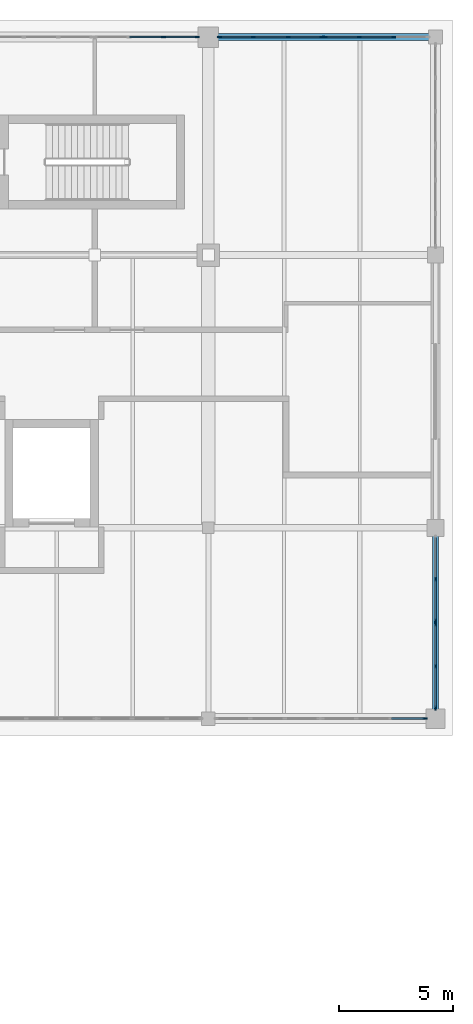
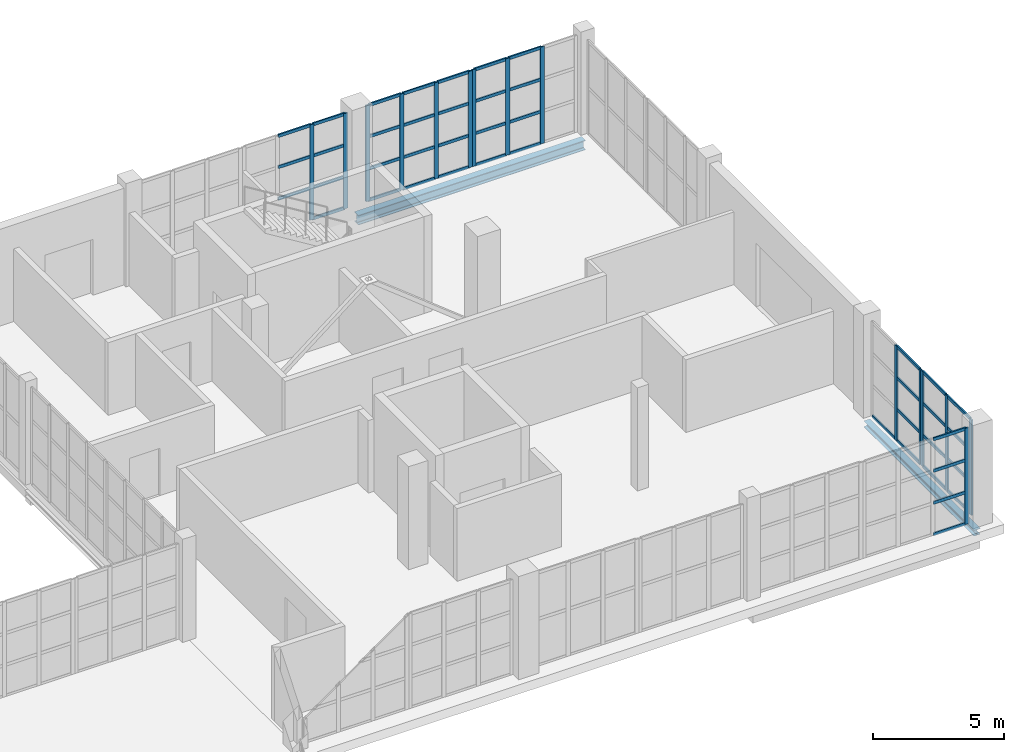
# One storey, part 70 of 121: 59 members, 2 beams, 6 elements without a shape of their own.
"""IFC4 building model written with IfcOpenShell, lengths in metres."""

from ifc_helpers import new_model, si_unit, direction, frame, origin, origin_2d, place, context, subcontext, project, spatial, rectangle, i_section, extrude, material, layer, layer_set, material_profile, profile_set, type_object, element, aggregate, save


model = new_model("IFC4")

# Units and contexts
model_context = context("Model", 3, precision=1e-05, world=origin(), true_north=direction((0.0, 1.0)))
body_context = subcontext(model_context, "Body", "Model", "MODEL_VIEW")
ifc_project = project(units=[si_unit("LENGTHUNIT", "METRE"), si_unit("AREAUNIT", "SQUARE_METRE"), si_unit("VOLUMEUNIT", "CUBIC_METRE"), si_unit("PLANEANGLEUNIT", "RADIAN"), si_unit("MASSUNIT", "GRAM", prefix="KILO")], contexts=[model_context])

# Site, building, storey
site_placement = place(None, origin())
site = spatial("IfcSite", under=ifc_project, at=site_placement, CompositionType="ELEMENT")
building_placement = place(site_placement, origin())
building = spatial("IfcBuilding", under=site, at=building_placement, Name="Zereglee Splitstone Museum", CompositionType="ELEMENT")
storey_placement = place(building_placement, origin())
storey = spatial("IfcBuildingStorey", under=building, at=storey_placement, Name="L00", CompositionType="ELEMENT", Elevation=0.0)

# Curtain wall, member
ifc_material_1 = material(Name="Triple-glazed low-E argon glass and bronze-anodised aluminium", Category="aluminium")
ifc_layer_1 = layer(ifc_material_1, 0.179931640625)
ifc_layer_set_1 = layer_set([ifc_layer_1], Name="Triple-glazed low-E argon glass and bronze-anodised aluminium")
curtain_wall_type_1 = type_object("IfcCurtainWallType", Name="CW-0459-448", PredefinedType="USERDEFINED", material=ifc_layer_set_1)
curtain_wall_1_placement = place(storey_placement, origin())
curtain_wall_1 = element("IfcCurtainWall", 1, at=curtain_wall_1_placement, inside=storey, type_object=curtain_wall_type_1, Name="Glazed Curtain Wall CW-0459-448 (L00)", ObjectType="GLAZED CURTAIN WALL", PredefinedType="USERDEFINED")
ifc_material_2 = material(Name="Thermally broken bronze-anodised aluminium", Category="aluminium")
ifc_material_profile_1 = material_profile(ifc_material_2, rectangle(XDim=0.06494140625, YDim=0.179931640625, at=origin_2d()), Name="CW MULL 65x180")
ifc_profile_set_1 = profile_set([ifc_material_profile_1], Name="Thermally broken bronze-anodised aluminium")
member_type_1 = type_object("IfcMemberType", Name="CWM-01", PredefinedType="MULLION", material=ifc_profile_set_1)
member_1_placement = place(storey_placement, frame((325.534423828125, 30.0, 0.0), z_axis=(0.0, 0.0, 1.0), x_axis=(0.0, 1.0, 0.0)))
member_1 = element("IfcMember", 2, at=member_1_placement, type_object=member_type_1, Name="CW-0459-448 mullion 4", PredefinedType="MULLION", context=body_context, shape_type="SweptSolid", body=[
    extrude(rectangle(XDim=0.06494140625, YDim=0.179931640625, at=origin_2d()), origin(), (0.0, 0.0, 1.0), 4.47998046875),
])

# Curtain wall, members
ifc_layer_2 = layer(ifc_material_1, 0.179931640625)
ifc_layer_set_2 = layer_set([ifc_layer_2], Name="Triple-glazed low-E argon glass and bronze-anodised aluminium")
curtain_wall_type_2 = type_object("IfcCurtainWallType", Name="CW-0375-444", PredefinedType="USERDEFINED", material=ifc_layer_set_2)
curtain_wall_2_placement = place(storey_placement, origin())
curtain_wall_2 = element("IfcCurtainWall", 3, at=curtain_wall_2_placement, inside=storey, type_object=curtain_wall_type_2, Name="Glazed Curtain Wall CW-0375-444 (L00)", ObjectType="GLAZED CURTAIN WALL", PredefinedType="USERDEFINED")
member_2_placement = place(storey_placement, frame((326.0, 30.465576171875, 0.0), z_axis=(0.0, 0.0, 1.0), x_axis=(-1.0, 0.0, 0.0)))
member_2 = element("IfcMember", 4, at=member_2_placement, type_object=member_type_1, Name="CW-0375-444 mullion 1", PredefinedType="MULLION", context=body_context, shape_type="SweptSolid", body=[
    extrude(rectangle(XDim=0.06494140625, YDim=0.179931640625, at=origin_2d()), origin(), (0.0, 0.0, 1.0), 4.43994140625),
])
member_3_placement = place(storey_placement, frame((326.0, 32.30908203125, 0.0), z_axis=(0.0, 0.0, 1.0), x_axis=(-1.0, 0.0, 0.0)))
member_3 = element("IfcMember", 5, at=member_3_placement, type_object=member_type_1, Name="CW-0375-444 mullion 2", PredefinedType="MULLION", context=body_context, shape_type="SweptSolid", body=[
    extrude(rectangle(XDim=0.06494140625, YDim=0.179931640625, at=origin_2d()), origin(), (0.0, 0.0, 1.0), 4.43994140625),
])
member_4_placement = place(storey_placement, frame((326.0, 34.152587890625, 0.0), z_axis=(0.0, 0.0, 1.0), x_axis=(-1.0, 0.0, 0.0)))
member_4 = element("IfcMember", 6, at=member_4_placement, type_object=member_type_1, Name="CW-0375-444 mullion 3", PredefinedType="MULLION", context=body_context, shape_type="SweptSolid", body=[
    extrude(rectangle(XDim=0.06494140625, YDim=0.179931640625, at=origin_2d()), origin(), (0.0, 0.0, 1.0), 4.43994140625),
])

ifc_layer_3 = layer(ifc_material_1, 0.179931640625)
ifc_layer_set_3 = layer_set([ifc_layer_3], Name="Triple-glazed low-E argon glass and bronze-anodised aluminium")
curtain_wall_type_3 = type_object("IfcCurtainWallType", Name="CW-0375-442", PredefinedType="USERDEFINED", material=ifc_layer_set_3)
curtain_wall_3_placement = place(storey_placement, origin())
curtain_wall_3 = element("IfcCurtainWall", 7, at=curtain_wall_3_placement, inside=storey, type_object=curtain_wall_type_3, Name="Glazed Curtain Wall CW-0375-442 (L00)", ObjectType="GLAZED CURTAIN WALL", PredefinedType="USERDEFINED")
member_5_placement = place(storey_placement, frame((326.0, 34.297607421875, 0.0), z_axis=(0.0, 0.0, 1.0), x_axis=(-1.0, 0.0, 0.0)))
member_5 = element("IfcMember", 8, at=member_5_placement, type_object=member_type_1, Name="CW-0375-442 mullion 1", PredefinedType="MULLION", context=body_context, shape_type="SweptSolid", body=[
    extrude(rectangle(XDim=0.06494140625, YDim=0.179931640625, at=origin_2d()), origin(), (0.0, 0.0, 1.0), 4.419921875),
])
member_6_placement = place(storey_placement, frame((326.0, 36.14111328125, 0.0), z_axis=(0.0, 0.0, 1.0), x_axis=(-1.0, 0.0, 0.0)))
member_6 = element("IfcMember", 9, at=member_6_placement, type_object=member_type_1, Name="CW-0375-442 mullion 2", PredefinedType="MULLION", context=body_context, shape_type="SweptSolid", body=[
    extrude(rectangle(XDim=0.06494140625, YDim=0.179931640625, at=origin_2d()), origin(), (0.0, 0.0, 1.0), 4.419921875),
])

ifc_layer_4 = layer(ifc_material_1, 0.179931640625)
ifc_layer_set_4 = layer_set([ifc_layer_4], Name="Triple-glazed low-E argon glass and bronze-anodised aluminium")
curtain_wall_type_4 = type_object("IfcCurtainWallType", Name="CW-0458-450", PredefinedType="USERDEFINED", material=ifc_layer_set_4)
curtain_wall_4_placement = place(storey_placement, origin())
curtain_wall_4 = element("IfcCurtainWall", 10, at=curtain_wall_4_placement, inside=storey, type_object=curtain_wall_type_4, Name="Glazed Curtain Wall CW-0458-450 (L00)", ObjectType="GLAZED CURTAIN WALL", PredefinedType="USERDEFINED")
member_7_placement = place(storey_placement, frame((324.166259765625, 60.0, 0.0), z_axis=(0.0, 0.0, 1.0), x_axis=(0.0, -1.0, 0.0)))
member_7 = element("IfcMember", 11, at=member_7_placement, type_object=member_type_1, Name="CW-0458-450 mullion 2", PredefinedType="MULLION", context=body_context, shape_type="SweptSolid", body=[
    extrude(rectangle(XDim=0.06494140625, YDim=0.179931640625, at=origin_2d()), origin(), (0.0, 0.0, 1.0), 4.5),
])
member_8_placement = place(storey_placement, frame((322.640625, 60.0, 0.0), z_axis=(0.0, 0.0, 1.0), x_axis=(0.0, -1.0, 0.0)))
member_8 = element("IfcMember", 12, at=member_8_placement, type_object=member_type_1, Name="CW-0458-450 mullion 3", PredefinedType="MULLION", context=body_context, shape_type="SweptSolid", body=[
    extrude(rectangle(XDim=0.06494140625, YDim=0.179931640625, at=origin_2d()), origin(), (0.0, 0.0, 1.0), 4.5),
])
member_9_placement = place(storey_placement, frame((321.1474609375, 60.0, 0.0), z_axis=(0.0, 0.0, 1.0), x_axis=(0.0, -1.0, 0.0)))
member_9 = element("IfcMember", 13, at=member_9_placement, type_object=member_type_1, Name="CW-0458-450 mullion 4", PredefinedType="MULLION", context=body_context, shape_type="SweptSolid", body=[
    extrude(rectangle(XDim=0.06494140625, YDim=0.179931640625, at=origin_2d()), origin(), (0.0, 0.0, 1.0), 4.5),
])

ifc_layer_5 = layer(ifc_material_1, 0.179931640625)
ifc_layer_set_5 = layer_set([ifc_layer_5], Name="Triple-glazed low-E argon glass and bronze-anodised aluminium")
curtain_wall_type_5 = type_object("IfcCurtainWallType", Name="CW-0458-448", PredefinedType="USERDEFINED", material=ifc_layer_set_5)
curtain_wall_5_placement = place(storey_placement, origin())
curtain_wall_5 = element("IfcCurtainWall", 14, at=curtain_wall_5_placement, inside=storey, type_object=curtain_wall_type_5, Name="Glazed Curtain Wall CW-0458-448 (L00)", ObjectType="GLAZED CURTAIN WALL", PredefinedType="USERDEFINED")
member_10_placement = place(storey_placement, frame((321.00244140625, 60.0, 0.0), z_axis=(0.0, 0.0, 1.0), x_axis=(0.0, -1.0, 0.0)))
member_10 = element("IfcMember", 15, at=member_10_placement, type_object=member_type_1, Name="CW-0458-448 mullion 1", PredefinedType="MULLION", context=body_context, shape_type="SweptSolid", body=[
    extrude(rectangle(XDim=0.06494140625, YDim=0.179931640625, at=origin_2d()), origin(), (0.0, 0.0, 1.0), 4.47998046875),
])
member_11_placement = place(storey_placement, frame((319.50927734375, 60.0, 0.0), z_axis=(0.0, 0.0, 1.0), x_axis=(0.0, -1.0, 0.0)))
member_11 = element("IfcMember", 16, at=member_11_placement, type_object=member_type_1, Name="CW-0458-448 mullion 2", PredefinedType="MULLION", context=body_context, shape_type="SweptSolid", body=[
    extrude(rectangle(XDim=0.06494140625, YDim=0.179931640625, at=origin_2d()), origin(), (0.0, 0.0, 1.0), 4.47998046875),
])
member_12_placement = place(storey_placement, frame((317.983642578125, 60.0, 0.0), z_axis=(0.0, 0.0, 1.0), x_axis=(0.0, -1.0, 0.0)))
member_12 = element("IfcMember", 17, at=member_12_placement, type_object=member_type_1, Name="CW-0458-448 mullion 3", PredefinedType="MULLION", context=body_context, shape_type="SweptSolid", body=[
    extrude(rectangle(XDim=0.06494140625, YDim=0.179931640625, at=origin_2d()), origin(), (0.0, 0.0, 1.0), 4.47998046875),
])
member_13_placement = place(storey_placement, frame((316.490478515625, 60.0, 0.0), z_axis=(0.0, 0.0, 1.0), x_axis=(0.0, -1.0, 0.0)))
member_13 = element("IfcMember", 18, at=member_13_placement, type_object=member_type_1, Name="CW-0458-448 mullion 4", PredefinedType="MULLION", context=body_context, shape_type="SweptSolid", body=[
    extrude(rectangle(XDim=0.06494140625, YDim=0.179931640625, at=origin_2d()), origin(), (0.0, 0.0, 1.0), 4.47998046875),
])

ifc_layer_6 = layer(ifc_material_1, 0.179931640625)
ifc_layer_set_6 = layer_set([ifc_layer_6], Name="Triple-glazed low-E argon glass and bronze-anodised aluminium")
curtain_wall_type_6 = type_object("IfcCurtainWallType", Name="CW-0455-444", PredefinedType="USERDEFINED", material=ifc_layer_set_6)
curtain_wall_6_placement = place(storey_placement, origin())
curtain_wall_6 = element("IfcCurtainWall", 19, at=curtain_wall_6_placement, inside=storey, type_object=curtain_wall_type_6, Name="Glazed Curtain Wall CW-0455-444 (L00)", ObjectType="GLAZED CURTAIN WALL", PredefinedType="USERDEFINED")
member_14_placement = place(storey_placement, frame((315.509521484375, 60.0, 0.0), z_axis=(0.0, 0.0, 1.0), x_axis=(0.0, -1.0, 0.0)))
member_14 = element("IfcMember", 20, at=member_14_placement, type_object=member_type_1, Name="CW-0455-444 mullion 1", PredefinedType="MULLION", context=body_context, shape_type="SweptSolid", body=[
    extrude(rectangle(XDim=0.06494140625, YDim=0.179931640625, at=origin_2d()), origin(), (0.0, 0.0, 1.0), 4.43994140625),
])
member_15_placement = place(storey_placement, frame((314.024658203125, 60.0, 0.0), z_axis=(0.0, 0.0, 1.0), x_axis=(0.0, -1.0, 0.0)))
member_15 = element("IfcMember", 21, at=member_15_placement, type_object=member_type_1, Name="CW-0455-444 mullion 2", PredefinedType="MULLION", context=body_context, shape_type="SweptSolid", body=[
    extrude(rectangle(XDim=0.06494140625, YDim=0.179931640625, at=origin_2d()), origin(), (0.0, 0.0, 1.0), 4.43994140625),
])

# Member
ifc_material_profile_2 = material_profile(ifc_material_2, rectangle(XDim=0.06494140625, YDim=0.139892578125, at=origin_2d()), Name="CW TRAN 65x140")
ifc_profile_set_2 = profile_set([ifc_material_profile_2], Name="Thermally broken bronze-anodised aluminium")
member_type_2 = type_object("IfcMemberType", Name="CWT-01", PredefinedType="USERDEFINED", material=ifc_profile_set_2)
member_16_placement = place(storey_placement, frame((324.069580078125, 30.0, 0.032470703125), z_axis=(1.0, 0.0, 0.0), x_axis=(0.0, 1.0, 0.0)))
member_16 = element("IfcMember", 22, at=member_16_placement, type_object=member_type_2, Name="CW-0459-448 transom 3.1", ObjectType="TRANSOM", PredefinedType="USERDEFINED", context=body_context, shape_type="SweptSolid", body=[
    extrude(rectangle(XDim=0.06494140625, YDim=0.139892578125, at=origin_2d()), origin(), (0.0, 0.0, 1.0), 1.432373046875),
])

member_17_placement = place(storey_placement, frame((324.069580078125, 30.0, 1.493408203125), z_axis=(1.0, 0.0, 0.0), x_axis=(0.0, 1.0, 0.0)))
member_17 = element("IfcMember", 23, at=member_17_placement, type_object=member_type_2, Name="CW-0459-448 transom 3.2", ObjectType="TRANSOM", PredefinedType="USERDEFINED", context=body_context, shape_type="SweptSolid", body=[
    extrude(rectangle(XDim=0.06494140625, YDim=0.139892578125, at=origin_2d()), origin(), (0.0, 0.0, 1.0), 1.432373046875),
])

member_18_placement = place(storey_placement, frame((324.069580078125, 30.0, 2.98681640625), z_axis=(1.0, 0.0, 0.0), x_axis=(0.0, 1.0, 0.0)))
member_18 = element("IfcMember", 24, at=member_18_placement, type_object=member_type_2, Name="CW-0459-448 transom 3.3", ObjectType="TRANSOM", PredefinedType="USERDEFINED", context=body_context, shape_type="SweptSolid", body=[
    extrude(rectangle(XDim=0.06494140625, YDim=0.139892578125, at=origin_2d()), origin(), (0.0, 0.0, 1.0), 1.432373046875),
])

member_19_placement = place(storey_placement, frame((324.069580078125, 30.0, 4.447509765625), z_axis=(1.0, 0.0, 0.0), x_axis=(0.0, 1.0, 0.0)))
member_19 = element("IfcMember", 25, at=member_19_placement, type_object=member_type_2, Name="CW-0459-448 transom 3.4", ObjectType="TRANSOM", PredefinedType="USERDEFINED", context=body_context, shape_type="SweptSolid", body=[
    extrude(rectangle(XDim=0.06494140625, YDim=0.139892578125, at=origin_2d()), origin(), (0.0, 0.0, 1.0), 1.432373046875),
])

aggregate(curtain_wall_1, [member_1, member_16, member_17, member_18, member_19])

member_20_placement = place(storey_placement, frame((326.0, 30.498046875, 0.032470703125), z_axis=(0.0, 1.0, 0.0), x_axis=(-1.0, 0.0, 0.0)))
member_20 = element("IfcMember", 26, at=member_20_placement, type_object=member_type_2, Name="CW-0375-444 transom 1.1", ObjectType="TRANSOM", PredefinedType="USERDEFINED", context=body_context, shape_type="SweptSolid", body=[
    extrude(rectangle(XDim=0.06494140625, YDim=0.139892578125, at=origin_2d()), origin(), (0.0, 0.0, 1.0), 1.778564453125),
])

member_21_placement = place(storey_placement, frame((326.0, 30.498046875, 1.47998046875), z_axis=(0.0, 1.0, 0.0), x_axis=(-1.0, 0.0, 0.0)))
member_21 = element("IfcMember", 27, at=member_21_placement, type_object=member_type_2, Name="CW-0375-444 transom 1.2", ObjectType="TRANSOM", PredefinedType="USERDEFINED", context=body_context, shape_type="SweptSolid", body=[
    extrude(rectangle(XDim=0.06494140625, YDim=0.139892578125, at=origin_2d()), origin(), (0.0, 0.0, 1.0), 1.778564453125),
])

member_22_placement = place(storey_placement, frame((326.0, 30.498046875, 2.9599609375), z_axis=(0.0, 1.0, 0.0), x_axis=(-1.0, 0.0, 0.0)))
member_22 = element("IfcMember", 28, at=member_22_placement, type_object=member_type_2, Name="CW-0375-444 transom 1.3", ObjectType="TRANSOM", PredefinedType="USERDEFINED", context=body_context, shape_type="SweptSolid", body=[
    extrude(rectangle(XDim=0.06494140625, YDim=0.139892578125, at=origin_2d()), origin(), (0.0, 0.0, 1.0), 1.778564453125),
])

member_23_placement = place(storey_placement, frame((326.0, 30.498046875, 4.407470703125), z_axis=(0.0, 1.0, 0.0), x_axis=(-1.0, 0.0, 0.0)))
member_23 = element("IfcMember", 29, at=member_23_placement, type_object=member_type_2, Name="CW-0375-444 transom 1.4", ObjectType="TRANSOM", PredefinedType="USERDEFINED", context=body_context, shape_type="SweptSolid", body=[
    extrude(rectangle(XDim=0.06494140625, YDim=0.139892578125, at=origin_2d()), origin(), (0.0, 0.0, 1.0), 1.778564453125),
])

member_24_placement = place(storey_placement, frame((326.0, 32.341552734375, 0.032470703125), z_axis=(0.0, 1.0, 0.0), x_axis=(-1.0, 0.0, 0.0)))
member_24 = element("IfcMember", 30, at=member_24_placement, type_object=member_type_2, Name="CW-0375-444 transom 2.1", ObjectType="TRANSOM", PredefinedType="USERDEFINED", context=body_context, shape_type="SweptSolid", body=[
    extrude(rectangle(XDim=0.06494140625, YDim=0.139892578125, at=origin_2d()), origin(), (0.0, 0.0, 1.0), 1.778564453125),
])

member_25_placement = place(storey_placement, frame((326.0, 32.341552734375, 1.47998046875), z_axis=(0.0, 1.0, 0.0), x_axis=(-1.0, 0.0, 0.0)))
member_25 = element("IfcMember", 31, at=member_25_placement, type_object=member_type_2, Name="CW-0375-444 transom 2.2", ObjectType="TRANSOM", PredefinedType="USERDEFINED", context=body_context, shape_type="SweptSolid", body=[
    extrude(rectangle(XDim=0.06494140625, YDim=0.139892578125, at=origin_2d()), origin(), (0.0, 0.0, 1.0), 1.778564453125),
])

member_26_placement = place(storey_placement, frame((326.0, 32.341552734375, 2.9599609375), z_axis=(0.0, 1.0, 0.0), x_axis=(-1.0, 0.0, 0.0)))
member_26 = element("IfcMember", 32, at=member_26_placement, type_object=member_type_2, Name="CW-0375-444 transom 2.3", ObjectType="TRANSOM", PredefinedType="USERDEFINED", context=body_context, shape_type="SweptSolid", body=[
    extrude(rectangle(XDim=0.06494140625, YDim=0.139892578125, at=origin_2d()), origin(), (0.0, 0.0, 1.0), 1.778564453125),
])

member_27_placement = place(storey_placement, frame((326.0, 32.341552734375, 4.407470703125), z_axis=(0.0, 1.0, 0.0), x_axis=(-1.0, 0.0, 0.0)))
member_27 = element("IfcMember", 33, at=member_27_placement, type_object=member_type_2, Name="CW-0375-444 transom 2.4", ObjectType="TRANSOM", PredefinedType="USERDEFINED", context=body_context, shape_type="SweptSolid", body=[
    extrude(rectangle(XDim=0.06494140625, YDim=0.139892578125, at=origin_2d()), origin(), (0.0, 0.0, 1.0), 1.778564453125),
])

aggregate(curtain_wall_2, [member_2, member_3, member_4, member_20, member_21, member_22, member_23, member_24, member_25, member_26, member_27])

member_28_placement = place(storey_placement, frame((326.0, 34.330078125, 0.032470703125), z_axis=(0.0, 1.0, 0.0), x_axis=(-1.0, 0.0, 0.0)))
member_28 = element("IfcMember", 34, at=member_28_placement, type_object=member_type_2, Name="CW-0375-442 transom 1.1", ObjectType="TRANSOM", PredefinedType="USERDEFINED", context=body_context, shape_type="SweptSolid", body=[
    extrude(rectangle(XDim=0.06494140625, YDim=0.139892578125, at=origin_2d()), origin(), (0.0, 0.0, 1.0), 1.7783203125),
])

member_29_placement = place(storey_placement, frame((326.0, 34.330078125, 1.473388671875), z_axis=(0.0, 1.0, 0.0), x_axis=(-1.0, 0.0, 0.0)))
member_29 = element("IfcMember", 35, at=member_29_placement, type_object=member_type_2, Name="CW-0375-442 transom 1.2", ObjectType="TRANSOM", PredefinedType="USERDEFINED", context=body_context, shape_type="SweptSolid", body=[
    extrude(rectangle(XDim=0.06494140625, YDim=0.139892578125, at=origin_2d()), origin(), (0.0, 0.0, 1.0), 1.7783203125),
])

member_30_placement = place(storey_placement, frame((326.0, 34.330078125, 2.94677734375), z_axis=(0.0, 1.0, 0.0), x_axis=(-1.0, 0.0, 0.0)))
member_30 = element("IfcMember", 36, at=member_30_placement, type_object=member_type_2, Name="CW-0375-442 transom 1.3", ObjectType="TRANSOM", PredefinedType="USERDEFINED", context=body_context, shape_type="SweptSolid", body=[
    extrude(rectangle(XDim=0.06494140625, YDim=0.139892578125, at=origin_2d()), origin(), (0.0, 0.0, 1.0), 1.7783203125),
])

member_31_placement = place(storey_placement, frame((326.0, 34.330078125, 4.387451171875), z_axis=(0.0, 1.0, 0.0), x_axis=(-1.0, 0.0, 0.0)))
member_31 = element("IfcMember", 37, at=member_31_placement, type_object=member_type_2, Name="CW-0375-442 transom 1.4", ObjectType="TRANSOM", PredefinedType="USERDEFINED", context=body_context, shape_type="SweptSolid", body=[
    extrude(rectangle(XDim=0.06494140625, YDim=0.139892578125, at=origin_2d()), origin(), (0.0, 0.0, 1.0), 1.7783203125),
])

member_32_placement = place(storey_placement, frame((326.0, 36.173583984375, 0.032470703125), z_axis=(0.0, 1.0, 0.0), x_axis=(-1.0, 0.0, 0.0)))
member_32 = element("IfcMember", 38, at=member_32_placement, type_object=member_type_2, Name="CW-0375-442 transom 2.1", ObjectType="TRANSOM", PredefinedType="USERDEFINED", context=body_context, shape_type="SweptSolid", body=[
    extrude(rectangle(XDim=0.06494140625, YDim=0.139892578125, at=origin_2d()), origin(), (0.0, 0.0, 1.0), 1.7783203125),
])

aggregate(curtain_wall_3, [member_5, member_6, member_28, member_29, member_30, member_31, member_32])

member_33_placement = place(storey_placement, frame((324.1337890625, 60.0, 0.032470703125), z_axis=(-1.0, 0.0, 0.0), x_axis=(0.0, -1.0, 0.0)))
member_33 = element("IfcMember", 39, at=member_33_placement, type_object=member_type_2, Name="CW-0458-450 transom 2.1", ObjectType="TRANSOM", PredefinedType="USERDEFINED", context=body_context, shape_type="SweptSolid", body=[
    extrude(rectangle(XDim=0.06494140625, YDim=0.139892578125, at=origin_2d()), origin(), (0.0, 0.0, 1.0), 1.460693359375),
])

member_34_placement = place(storey_placement, frame((324.1337890625, 60.0, 1.5), z_axis=(-1.0, 0.0, 0.0), x_axis=(0.0, -1.0, 0.0)))
member_34 = element("IfcMember", 40, at=member_34_placement, type_object=member_type_2, Name="CW-0458-450 transom 2.2", ObjectType="TRANSOM", PredefinedType="USERDEFINED", context=body_context, shape_type="SweptSolid", body=[
    extrude(rectangle(XDim=0.06494140625, YDim=0.139892578125, at=origin_2d()), origin(), (0.0, 0.0, 1.0), 1.460693359375),
])

member_35_placement = place(storey_placement, frame((324.1337890625, 60.0, 3.0), z_axis=(-1.0, 0.0, 0.0), x_axis=(0.0, -1.0, 0.0)))
member_35 = element("IfcMember", 41, at=member_35_placement, type_object=member_type_2, Name="CW-0458-450 transom 2.3", ObjectType="TRANSOM", PredefinedType="USERDEFINED", context=body_context, shape_type="SweptSolid", body=[
    extrude(rectangle(XDim=0.06494140625, YDim=0.139892578125, at=origin_2d()), origin(), (0.0, 0.0, 1.0), 1.460693359375),
])

member_36_placement = place(storey_placement, frame((324.1337890625, 60.0, 4.467529296875), z_axis=(-1.0, 0.0, 0.0), x_axis=(0.0, -1.0, 0.0)))
member_36 = element("IfcMember", 42, at=member_36_placement, type_object=member_type_2, Name="CW-0458-450 transom 2.4", ObjectType="TRANSOM", PredefinedType="USERDEFINED", context=body_context, shape_type="SweptSolid", body=[
    extrude(rectangle(XDim=0.06494140625, YDim=0.139892578125, at=origin_2d()), origin(), (0.0, 0.0, 1.0), 1.460693359375),
])

member_37_placement = place(storey_placement, frame((322.608154296875, 60.0, 0.032470703125), z_axis=(-1.0, 0.0, 0.0), x_axis=(0.0, -1.0, 0.0)))
member_37 = element("IfcMember", 43, at=member_37_placement, type_object=member_type_2, Name="CW-0458-450 transom 3.1", ObjectType="TRANSOM", PredefinedType="USERDEFINED", context=body_context, shape_type="SweptSolid", body=[
    extrude(rectangle(XDim=0.06494140625, YDim=0.139892578125, at=origin_2d()), origin(), (0.0, 0.0, 1.0), 1.42822265625),
])

member_38_placement = place(storey_placement, frame((322.608154296875, 60.0, 1.5), z_axis=(-1.0, 0.0, 0.0), x_axis=(0.0, -1.0, 0.0)))
member_38 = element("IfcMember", 44, at=member_38_placement, type_object=member_type_2, Name="CW-0458-450 transom 3.2", ObjectType="TRANSOM", PredefinedType="USERDEFINED", context=body_context, shape_type="SweptSolid", body=[
    extrude(rectangle(XDim=0.06494140625, YDim=0.139892578125, at=origin_2d()), origin(), (0.0, 0.0, 1.0), 1.42822265625),
])

member_39_placement = place(storey_placement, frame((322.608154296875, 60.0, 3.0), z_axis=(-1.0, 0.0, 0.0), x_axis=(0.0, -1.0, 0.0)))
member_39 = element("IfcMember", 45, at=member_39_placement, type_object=member_type_2, Name="CW-0458-450 transom 3.3", ObjectType="TRANSOM", PredefinedType="USERDEFINED", context=body_context, shape_type="SweptSolid", body=[
    extrude(rectangle(XDim=0.06494140625, YDim=0.139892578125, at=origin_2d()), origin(), (0.0, 0.0, 1.0), 1.42822265625),
])

member_40_placement = place(storey_placement, frame((322.608154296875, 60.0, 4.467529296875), z_axis=(-1.0, 0.0, 0.0), x_axis=(0.0, -1.0, 0.0)))
member_40 = element("IfcMember", 46, at=member_40_placement, type_object=member_type_2, Name="CW-0458-450 transom 3.4", ObjectType="TRANSOM", PredefinedType="USERDEFINED", context=body_context, shape_type="SweptSolid", body=[
    extrude(rectangle(XDim=0.06494140625, YDim=0.139892578125, at=origin_2d()), origin(), (0.0, 0.0, 1.0), 1.42822265625),
])

aggregate(curtain_wall_4, [member_7, member_8, member_9, member_33, member_34, member_35, member_36, member_37, member_38, member_39, member_40])

member_41_placement = place(storey_placement, frame((320.969970703125, 60.0, 0.032470703125), z_axis=(-1.0, 0.0, 0.0), x_axis=(0.0, -1.0, 0.0)))
member_41 = element("IfcMember", 47, at=member_41_placement, type_object=member_type_2, Name="CW-0458-448 transom 1.1", ObjectType="TRANSOM", PredefinedType="USERDEFINED", context=body_context, shape_type="SweptSolid", body=[
    extrude(rectangle(XDim=0.06494140625, YDim=0.139892578125, at=origin_2d()), origin(), (0.0, 0.0, 1.0), 1.42822265625),
])

member_42_placement = place(storey_placement, frame((320.969970703125, 60.0, 1.493408203125), z_axis=(-1.0, 0.0, 0.0), x_axis=(0.0, -1.0, 0.0)))
member_42 = element("IfcMember", 48, at=member_42_placement, type_object=member_type_2, Name="CW-0458-448 transom 1.2", ObjectType="TRANSOM", PredefinedType="USERDEFINED", context=body_context, shape_type="SweptSolid", body=[
    extrude(rectangle(XDim=0.06494140625, YDim=0.139892578125, at=origin_2d()), origin(), (0.0, 0.0, 1.0), 1.42822265625),
])

member_43_placement = place(storey_placement, frame((320.969970703125, 60.0, 2.98681640625), z_axis=(-1.0, 0.0, 0.0), x_axis=(0.0, -1.0, 0.0)))
member_43 = element("IfcMember", 49, at=member_43_placement, type_object=member_type_2, Name="CW-0458-448 transom 1.3", ObjectType="TRANSOM", PredefinedType="USERDEFINED", context=body_context, shape_type="SweptSolid", body=[
    extrude(rectangle(XDim=0.06494140625, YDim=0.139892578125, at=origin_2d()), origin(), (0.0, 0.0, 1.0), 1.42822265625),
])

member_44_placement = place(storey_placement, frame((320.969970703125, 60.0, 4.447509765625), z_axis=(-1.0, 0.0, 0.0), x_axis=(0.0, -1.0, 0.0)))
member_44 = element("IfcMember", 50, at=member_44_placement, type_object=member_type_2, Name="CW-0458-448 transom 1.4", ObjectType="TRANSOM", PredefinedType="USERDEFINED", context=body_context, shape_type="SweptSolid", body=[
    extrude(rectangle(XDim=0.06494140625, YDim=0.139892578125, at=origin_2d()), origin(), (0.0, 0.0, 1.0), 1.42822265625),
])

member_45_placement = place(storey_placement, frame((319.476806640625, 60.0, 0.032470703125), z_axis=(-1.0, 0.0, 0.0), x_axis=(0.0, -1.0, 0.0)))
member_45 = element("IfcMember", 51, at=member_45_placement, type_object=member_type_2, Name="CW-0458-448 transom 2.1", ObjectType="TRANSOM", PredefinedType="USERDEFINED", context=body_context, shape_type="SweptSolid", body=[
    extrude(rectangle(XDim=0.06494140625, YDim=0.139892578125, at=origin_2d()), origin(), (0.0, 0.0, 1.0), 1.460693359375),
])

member_46_placement = place(storey_placement, frame((319.476806640625, 60.0, 1.493408203125), z_axis=(-1.0, 0.0, 0.0), x_axis=(0.0, -1.0, 0.0)))
member_46 = element("IfcMember", 52, at=member_46_placement, type_object=member_type_2, Name="CW-0458-448 transom 2.2", ObjectType="TRANSOM", PredefinedType="USERDEFINED", context=body_context, shape_type="SweptSolid", body=[
    extrude(rectangle(XDim=0.06494140625, YDim=0.139892578125, at=origin_2d()), origin(), (0.0, 0.0, 1.0), 1.460693359375),
])

member_47_placement = place(storey_placement, frame((319.476806640625, 60.0, 2.98681640625), z_axis=(-1.0, 0.0, 0.0), x_axis=(0.0, -1.0, 0.0)))
member_47 = element("IfcMember", 53, at=member_47_placement, type_object=member_type_2, Name="CW-0458-448 transom 2.3", ObjectType="TRANSOM", PredefinedType="USERDEFINED", context=body_context, shape_type="SweptSolid", body=[
    extrude(rectangle(XDim=0.06494140625, YDim=0.139892578125, at=origin_2d()), origin(), (0.0, 0.0, 1.0), 1.460693359375),
])

member_48_placement = place(storey_placement, frame((319.476806640625, 60.0, 4.447509765625), z_axis=(-1.0, 0.0, 0.0), x_axis=(0.0, -1.0, 0.0)))
member_48 = element("IfcMember", 54, at=member_48_placement, type_object=member_type_2, Name="CW-0458-448 transom 2.4", ObjectType="TRANSOM", PredefinedType="USERDEFINED", context=body_context, shape_type="SweptSolid", body=[
    extrude(rectangle(XDim=0.06494140625, YDim=0.139892578125, at=origin_2d()), origin(), (0.0, 0.0, 1.0), 1.460693359375),
])

member_49_placement = place(storey_placement, frame((317.951171875, 60.0, 0.032470703125), z_axis=(-1.0, 0.0, 0.0), x_axis=(0.0, -1.0, 0.0)))
member_49 = element("IfcMember", 55, at=member_49_placement, type_object=member_type_2, Name="CW-0458-448 transom 3.1", ObjectType="TRANSOM", PredefinedType="USERDEFINED", context=body_context, shape_type="SweptSolid", body=[
    extrude(rectangle(XDim=0.06494140625, YDim=0.139892578125, at=origin_2d()), origin(), (0.0, 0.0, 1.0), 1.42822265625),
])

member_50_placement = place(storey_placement, frame((317.951171875, 60.0, 1.493408203125), z_axis=(-1.0, 0.0, 0.0), x_axis=(0.0, -1.0, 0.0)))
member_50 = element("IfcMember", 56, at=member_50_placement, type_object=member_type_2, Name="CW-0458-448 transom 3.2", ObjectType="TRANSOM", PredefinedType="USERDEFINED", context=body_context, shape_type="SweptSolid", body=[
    extrude(rectangle(XDim=0.06494140625, YDim=0.139892578125, at=origin_2d()), origin(), (0.0, 0.0, 1.0), 1.42822265625),
])

member_51_placement = place(storey_placement, frame((317.951171875, 60.0, 2.98681640625), z_axis=(-1.0, 0.0, 0.0), x_axis=(0.0, -1.0, 0.0)))
member_51 = element("IfcMember", 57, at=member_51_placement, type_object=member_type_2, Name="CW-0458-448 transom 3.3", ObjectType="TRANSOM", PredefinedType="USERDEFINED", context=body_context, shape_type="SweptSolid", body=[
    extrude(rectangle(XDim=0.06494140625, YDim=0.139892578125, at=origin_2d()), origin(), (0.0, 0.0, 1.0), 1.42822265625),
])

member_52_placement = place(storey_placement, frame((317.951171875, 60.0, 4.447509765625), z_axis=(-1.0, 0.0, 0.0), x_axis=(0.0, -1.0, 0.0)))
member_52 = element("IfcMember", 58, at=member_52_placement, type_object=member_type_2, Name="CW-0458-448 transom 3.4", ObjectType="TRANSOM", PredefinedType="USERDEFINED", context=body_context, shape_type="SweptSolid", body=[
    extrude(rectangle(XDim=0.06494140625, YDim=0.139892578125, at=origin_2d()), origin(), (0.0, 0.0, 1.0), 1.42822265625),
])

aggregate(curtain_wall_5, [member_10, member_11, member_12, member_13, member_41, member_42, member_43, member_44, member_45, member_46, member_47, member_48, member_49, member_50, member_51, member_52])

member_53_placement = place(storey_placement, frame((315.47705078125, 60.0, 0.032470703125), z_axis=(-1.0, 0.0, 0.0), x_axis=(0.0, -1.0, 0.0)))
member_53 = element("IfcMember", 59, at=member_53_placement, type_object=member_type_2, Name="CW-0455-444 transom 1.1", ObjectType="TRANSOM", PredefinedType="USERDEFINED", context=body_context, shape_type="SweptSolid", body=[
    extrude(rectangle(XDim=0.06494140625, YDim=0.139892578125, at=origin_2d()), origin(), (0.0, 0.0, 1.0), 1.419921875),
])

member_54_placement = place(storey_placement, frame((315.47705078125, 60.0, 1.47998046875), z_axis=(-1.0, 0.0, 0.0), x_axis=(0.0, -1.0, 0.0)))
member_54 = element("IfcMember", 60, at=member_54_placement, type_object=member_type_2, Name="CW-0455-444 transom 1.2", ObjectType="TRANSOM", PredefinedType="USERDEFINED", context=body_context, shape_type="SweptSolid", body=[
    extrude(rectangle(XDim=0.06494140625, YDim=0.139892578125, at=origin_2d()), origin(), (0.0, 0.0, 1.0), 1.419921875),
])

member_55_placement = place(storey_placement, frame((315.47705078125, 60.0, 2.9599609375), z_axis=(-1.0, 0.0, 0.0), x_axis=(0.0, -1.0, 0.0)))
member_55 = element("IfcMember", 61, at=member_55_placement, type_object=member_type_2, Name="CW-0455-444 transom 1.3", ObjectType="TRANSOM", PredefinedType="USERDEFINED", context=body_context, shape_type="SweptSolid", body=[
    extrude(rectangle(XDim=0.06494140625, YDim=0.139892578125, at=origin_2d()), origin(), (0.0, 0.0, 1.0), 1.419921875),
])

member_56_placement = place(storey_placement, frame((315.47705078125, 60.0, 4.407470703125), z_axis=(-1.0, 0.0, 0.0), x_axis=(0.0, -1.0, 0.0)))
member_56 = element("IfcMember", 62, at=member_56_placement, type_object=member_type_2, Name="CW-0455-444 transom 1.4", ObjectType="TRANSOM", PredefinedType="USERDEFINED", context=body_context, shape_type="SweptSolid", body=[
    extrude(rectangle(XDim=0.06494140625, YDim=0.139892578125, at=origin_2d()), origin(), (0.0, 0.0, 1.0), 1.419921875),
])

member_57_placement = place(storey_placement, frame((313.9921875, 60.0, 1.47998046875), z_axis=(-1.0, 0.0, 0.0), x_axis=(0.0, -1.0, 0.0)))
member_57 = element("IfcMember", 63, at=member_57_placement, type_object=member_type_2, Name="CW-0455-444 transom 2.2", ObjectType="TRANSOM", PredefinedType="USERDEFINED", context=body_context, shape_type="SweptSolid", body=[
    extrude(rectangle(XDim=0.06494140625, YDim=0.139892578125, at=origin_2d()), origin(), (0.0, 0.0, 1.0), 1.452392578125),
])

member_58_placement = place(storey_placement, frame((313.9921875, 60.0, 2.9599609375), z_axis=(-1.0, 0.0, 0.0), x_axis=(0.0, -1.0, 0.0)))
member_58 = element("IfcMember", 64, at=member_58_placement, type_object=member_type_2, Name="CW-0455-444 transom 2.3", ObjectType="TRANSOM", PredefinedType="USERDEFINED", context=body_context, shape_type="SweptSolid", body=[
    extrude(rectangle(XDim=0.06494140625, YDim=0.139892578125, at=origin_2d()), origin(), (0.0, 0.0, 1.0), 1.452392578125),
])

member_59_placement = place(storey_placement, frame((313.9921875, 60.0, 4.407470703125), z_axis=(-1.0, 0.0, 0.0), x_axis=(0.0, -1.0, 0.0)))
member_59 = element("IfcMember", 65, at=member_59_placement, type_object=member_type_2, Name="CW-0455-444 transom 2.4", ObjectType="TRANSOM", PredefinedType="USERDEFINED", context=body_context, shape_type="SweptSolid", body=[
    extrude(rectangle(XDim=0.06494140625, YDim=0.139892578125, at=origin_2d()), origin(), (0.0, 0.0, 1.0), 1.452392578125),
])

aggregate(curtain_wall_6, [member_14, member_15, member_53, member_54, member_55, member_56, member_57, member_58, member_59])

# Beams
ifc_material_3 = material(Name="Steel S355J2", Category="steel")
ifc_material_profile_3 = material_profile(ifc_material_3, i_section(OverallWidth=0.280029296875, OverallDepth=0.280029296875, WebThickness=0.010498046875, FlangeThickness=0.01806640625, FilletRadius=0.02392578125, at=origin_2d()), Name="HE 280 B")
ifc_profile_set_3 = profile_set([ifc_material_profile_3], Name="Steel S355J2")
beam_type_1 = type_object("IfcBeamType", Name="SP-03", PredefinedType="SPANDREL", material=ifc_profile_set_3)
beam_1_placement = place(storey_placement, frame((326.0, 30.0, -0.56005859375), z_axis=(0.0, 1.0, 0.0), x_axis=(-1.0, 0.0, 0.0)))
element("IfcBeam", 66, at=beam_1_placement, inside=storey, type_object=beam_type_1, Name="Primary Girder L00 36 (30.0-38.4)", PredefinedType="SPANDREL", context=body_context, shape_type="SweptSolid", body=[
    extrude(i_section(OverallWidth=0.280029296875, OverallDepth=0.280029296875, WebThickness=0.010498046875, FlangeThickness=0.01806640625, FilletRadius=0.02392578125, at=origin_2d()), origin(), (0.0, 0.0, 1.0), 8.39990234375),
])
ifc_material_profile_4 = material_profile(ifc_material_3, i_section(OverallWidth=0.300048828125, OverallDepth=0.449951171875, WebThickness=0.013916015625, FlangeThickness=0.02587890625, FilletRadius=0.027099609375, at=origin_2d()), Name="HE 450 B")
ifc_profile_set_4 = profile_set([ifc_material_profile_4], Name="Steel S355J2")
beam_type_2 = type_object("IfcBeamType", Name="SP-02", PredefinedType="SPANDREL", material=ifc_profile_set_4)
beam_2_placement = place(storey_placement, frame((316.0, 60.0, -0.64501953125), z_axis=(1.0, 0.0, 0.0), x_axis=(0.0, 1.0, 0.0)))
element("IfcBeam", 67, at=beam_2_placement, inside=storey, type_object=beam_type_2, Name="Primary Girder L00 G (316.0-326.0)", PredefinedType="SPANDREL", context=body_context, shape_type="SweptSolid", body=[
    extrude(i_section(OverallWidth=0.300048828125, OverallDepth=0.449951171875, WebThickness=0.013916015625, FlangeThickness=0.02587890625, FilletRadius=0.027099609375, at=origin_2d()), origin(), (0.0, 0.0, 1.0), 10.0),
])

save(model, "model.ifc")
